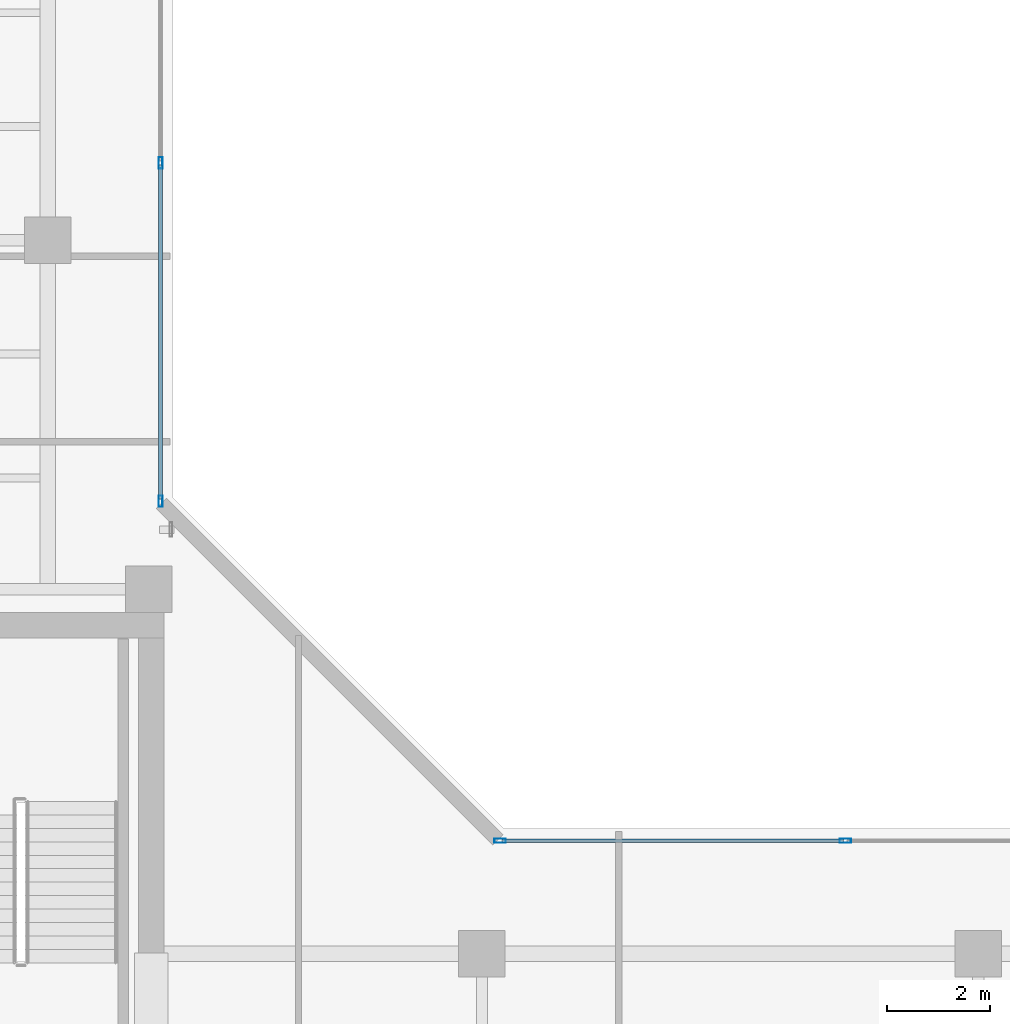
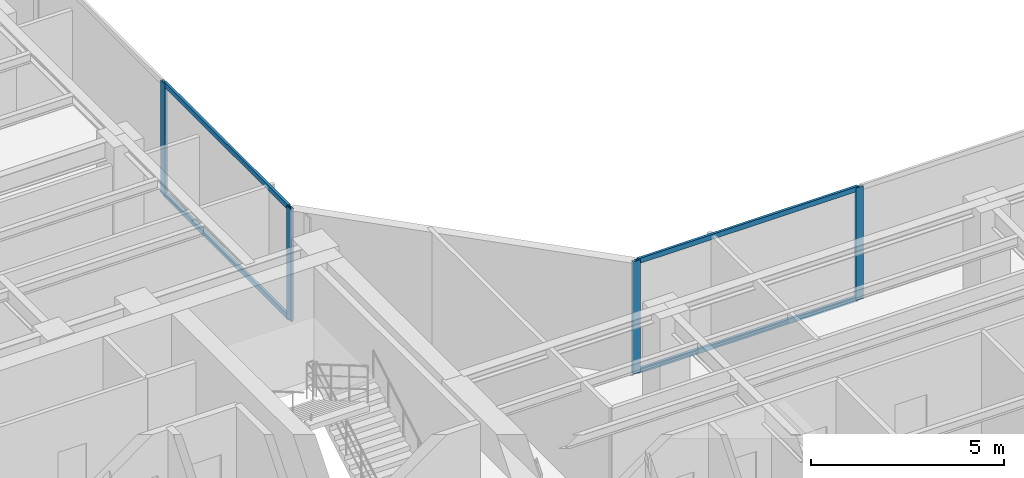
# One storey, part 10 of 22: 8 members, 2 elements without a shape of their own.
"""IFC4 building model written with IfcOpenShell, lengths in metres."""

from ifc_helpers import new_model, si_unit, direction, frame, origin, origin_with_axes, origin_2d, place, context, subcontext, project, spatial, hollow_rectangle, extrude, source, transform, mapped, material, layer, layer_set, material_profile, profile_set, type_object, element, aggregate, save


model = new_model("IFC4")

# Units and contexts
model_context = context("Model", 3, precision=1e-05, world=origin(), true_north=direction((0.0, 1.0)))
body_context = subcontext(model_context, "Body", "Model", "MODEL_VIEW")
ifc_project = project(units=[si_unit("LENGTHUNIT", "METRE"), si_unit("AREAUNIT", "SQUARE_METRE"), si_unit("VOLUMEUNIT", "CUBIC_METRE"), si_unit("PLANEANGLEUNIT", "RADIAN"), si_unit("MASSUNIT", "GRAM", prefix="KILO")], contexts=[model_context])

# Site, building, storey
site_placement = place(None, origin())
site = spatial("IfcSite", under=ifc_project, at=site_placement, CompositionType="ELEMENT")
building_placement = place(site_placement, origin())
building = spatial("IfcBuilding", under=site, at=building_placement, Name="Kolvaren Waterfront Exchange", CompositionType="ELEMENT")
storey_placement = place(building_placement, frame((0.0, 0.0, 327.39990234375)))
storey = spatial("IfcBuildingStorey", under=building, at=storey_placement, Name="L84", CompositionType="ELEMENT", Elevation=327.39990234375)

# Curtain wall, members
ifc_material_1 = material(Name="Anodised bronze aluminium 6063-T6", Category="aluminium")
ifc_layer = layer(ifc_material_1, 0.219970703125, Name="Anodised bronze aluminium 6063-T6")
ifc_layer_set = layer_set([ifc_layer], Name="Anodised bronze aluminium 6063-T6")
curtain_wall_type = type_object("IfcCurtainWallType", Name="ARC-CW-SYS1", PredefinedType="USERDEFINED", material=ifc_layer_set)
curtain_wall_1_placement = place(storey_placement, origin())
curtain_wall_1 = element("IfcCurtainWall", 1, at=curtain_wall_1_placement, inside=storey, type_object=curtain_wall_type, Name="L84 stick curtain wall CW1 (CW-L84-NE)", ObjectType="STICK CURTAIN WALL", PredefinedType="USERDEFINED")
ifc_material_2 = material(Name="Anodised aluminium 6063-T6", Category="aluminium")
ifc_material_profile_1 = material_profile(ifc_material_2, hollow_rectangle(XDim=0.080078125, YDim=0.219970703125, WallThickness=0.0048828125, at=origin_2d()), Name="ALU-MUL-220x80x5")
ifc_profile_set_1 = profile_set([ifc_material_profile_1], Name="Anodised aluminium 6063-T6")
member_type_1 = type_object("IfcMemberType", Name="ARC-CWM-220", PredefinedType="MULLION", material=ifc_profile_set_1)
shared_shape_1 = source(origin_with_axes(), body_context, "Body", "SweptSolid", [
    extrude(hollow_rectangle(XDim=0.080078125, YDim=0.219970703125, WallThickness=0.0048828125, at=origin_2d()), origin(), (0.0, 0.0, 1.0), 3.56005859375),
])
member_1_placement = place(storey_placement, frame((20.981201171875, 26.151123046875, 0.0), z_axis=(0.0, 0.0, 1.0), x_axis=(-1.0, 0.0, 0.0)))
member_1 = element("IfcMember", 2, at=member_1_placement, type_object=member_type_1, Name="CW1 mullion 1", PredefinedType="MULLION", context=body_context, shape_type="MappedRepresentation", body=[
    mapped(shared_shape_1, transform((0.0, 0.0, 0.0), x_axis=(1.0, 0.0, 0.0), y_axis=(0.0, 1.0, 0.0), z_axis=(0.0, 0.0, 1.0), scale=1.0)),
])
member_2_placement = place(storey_placement, frame((20.981201171875, 32.69873046875, 0.0), z_axis=(0.0, 0.0, 1.0), x_axis=(-1.0, 0.0, 0.0)))
member_2 = element("IfcMember", 3, at=member_2_placement, type_object=member_type_1, Name="CW1 mullion 2", PredefinedType="MULLION", context=body_context, shape_type="MappedRepresentation", body=[
    mapped(shared_shape_1, transform((0.0, 0.0, 0.0), x_axis=(1.0, 0.0, 0.0), y_axis=(0.0, 1.0, 0.0), z_axis=(0.0, 0.0, 1.0), scale=1.0)),
])

curtain_wall_2_placement = place(storey_placement, origin())
curtain_wall_2 = element("IfcCurtainWall", 4, at=curtain_wall_2_placement, inside=storey, type_object=curtain_wall_type, Name="L84 stick curtain wall CW1 (CW-L84-EN)", ObjectType="STICK CURTAIN WALL", PredefinedType="USERDEFINED")
member_3_placement = place(storey_placement, frame((27.551025390625, 19.5810546875, 0.0), z_axis=(0.0, 0.0, 1.0), x_axis=(0.0, 1.0, 0.0)))
member_3 = element("IfcMember", 5, at=member_3_placement, type_object=member_type_1, Name="CW1 mullion 1", PredefinedType="MULLION", context=body_context, shape_type="MappedRepresentation", body=[
    mapped(shared_shape_1, transform((0.0, 0.0, 0.0), x_axis=(1.0, 0.0, 0.0), y_axis=(0.0, 1.0, 0.0), z_axis=(0.0, 0.0, 1.0), scale=1.0)),
])
member_4_placement = place(storey_placement, frame((34.23193359375, 19.5810546875, 0.0), z_axis=(0.0, 0.0, 1.0), x_axis=(0.0, 1.0, 0.0)))
member_4 = element("IfcMember", 6, at=member_4_placement, type_object=member_type_1, Name="CW1 mullion 2", PredefinedType="MULLION", context=body_context, shape_type="MappedRepresentation", body=[
    mapped(shared_shape_1, transform((0.0, 0.0, 0.0), x_axis=(1.0, 0.0, 0.0), y_axis=(0.0, 1.0, 0.0), z_axis=(0.0, 0.0, 1.0), scale=1.0)),
])
ifc_material_profile_2 = material_profile(ifc_material_2, hollow_rectangle(XDim=0.074951171875, YDim=0.159912109375, WallThickness=0.00439453125, at=origin_2d()), Name="ALU-TRN-160x75x4.5")
ifc_profile_set_2 = profile_set([ifc_material_profile_2], Name="Anodised aluminium 6063-T6")
member_type_2 = type_object("IfcMemberType", Name="ARC-CWT-160", PredefinedType="USERDEFINED", material=ifc_profile_set_2)
shared_shape_2 = source(origin_with_axes(), body_context, "Body", "SweptSolid", [
    extrude(hollow_rectangle(XDim=0.074951171875, YDim=0.159912109375, WallThickness=0.00439453125, at=origin_2d()), origin(), (0.0, 0.0, 1.0), 6.600830078125),
])
member_5_placement = place(storey_placement, frame((27.591064453125, 19.5810546875, 0.03759765625), z_axis=(1.0, 0.0, 0.0), x_axis=(0.0, 1.0, 0.0)))
member_5 = element("IfcMember", 7, at=member_5_placement, type_object=member_type_2, Name="CW1 transom 1.1", ObjectType="TRANSOM", PredefinedType="USERDEFINED", context=body_context, shape_type="MappedRepresentation", body=[
    mapped(shared_shape_2, transform((0.0, 0.0, 0.0), x_axis=(1.0, 0.0, 0.0), y_axis=(0.0, 1.0, 0.0), z_axis=(0.0, 0.0, 1.0), scale=1.0)),
])
member_6_placement = place(storey_placement, frame((27.591064453125, 19.5810546875, 3.522705078125), z_axis=(1.0, 0.0, 0.0), x_axis=(0.0, 1.0, 0.0)))
member_6 = element("IfcMember", 8, at=member_6_placement, type_object=member_type_2, Name="CW1 transom 1.2", ObjectType="TRANSOM", PredefinedType="USERDEFINED", context=body_context, shape_type="MappedRepresentation", body=[
    mapped(shared_shape_2, transform((0.0, 0.0, 0.0), x_axis=(1.0, 0.0, 0.0), y_axis=(0.0, 1.0, 0.0), z_axis=(0.0, 0.0, 1.0), scale=1.0)),
])
aggregate(curtain_wall_2, [member_3, member_4, member_5, member_6])

# Member
shared_shape_3 = source(origin_with_axes(), body_context, "Body", "SweptSolid", [
    extrude(hollow_rectangle(XDim=0.074951171875, YDim=0.159912109375, WallThickness=0.00439453125, at=origin_2d()), origin(), (0.0, 0.0, 1.0), 6.467529296875),
])
member_7_placement = place(storey_placement, frame((20.981201171875, 26.191162109375, 0.03759765625), z_axis=(0.0, 1.0, 0.0), x_axis=(-1.0, 0.0, 0.0)))
member_7 = element("IfcMember", 9, at=member_7_placement, type_object=member_type_2, Name="CW1 transom 1.1", ObjectType="TRANSOM", PredefinedType="USERDEFINED", context=body_context, shape_type="MappedRepresentation", body=[
    mapped(shared_shape_3, transform((0.0, 0.0, 0.0), x_axis=(1.0, 0.0, 0.0), y_axis=(0.0, 1.0, 0.0), z_axis=(0.0, 0.0, 1.0), scale=1.0)),
])

member_8_placement = place(storey_placement, frame((20.981201171875, 26.191162109375, 3.522705078125), z_axis=(0.0, 1.0, 0.0), x_axis=(-1.0, 0.0, 0.0)))
member_8 = element("IfcMember", 10, at=member_8_placement, type_object=member_type_2, Name="CW1 transom 1.2", ObjectType="TRANSOM", PredefinedType="USERDEFINED", context=body_context, shape_type="MappedRepresentation", body=[
    mapped(shared_shape_3, transform((0.0, 0.0, 0.0), x_axis=(1.0, 0.0, 0.0), y_axis=(0.0, 1.0, 0.0), z_axis=(0.0, 0.0, 1.0), scale=1.0)),
])

aggregate(curtain_wall_1, [member_1, member_2, member_7, member_8])

save(model, "model.ifc")
